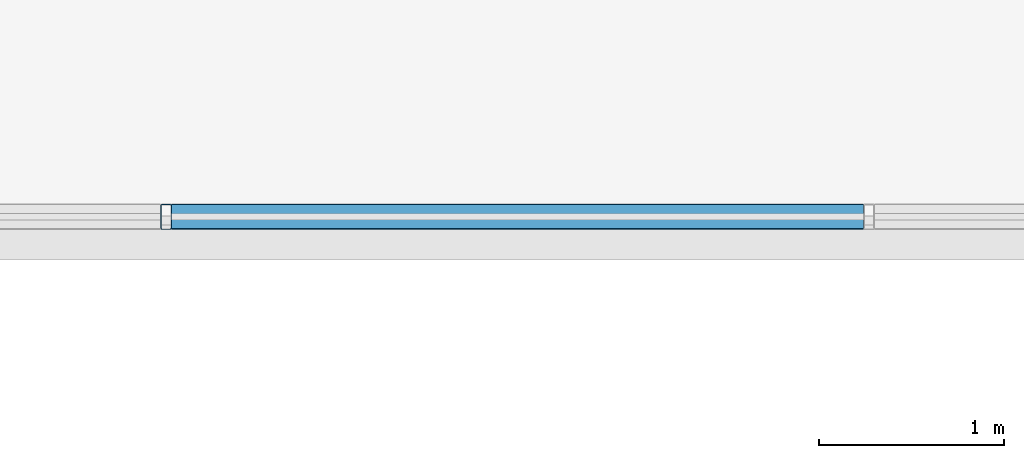
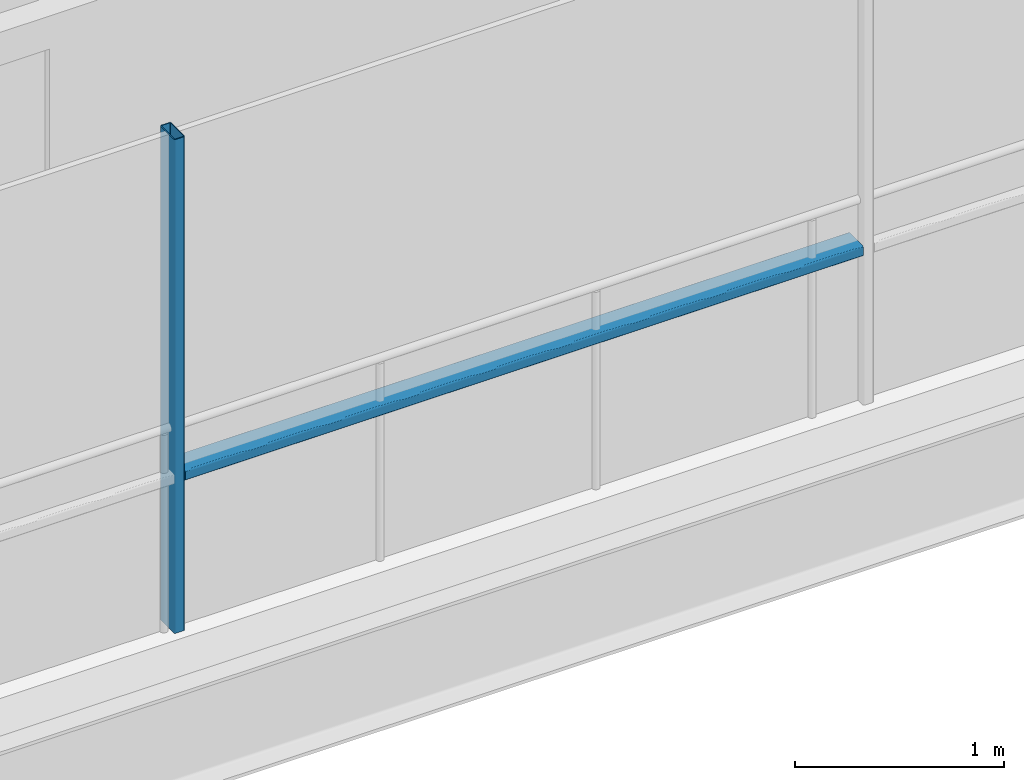
# One storey, part 11 of 41: 2 members, 1 element without a shape of its own.
"""IFC4 building model written with IfcOpenShell, lengths in metres."""

from ifc_helpers import new_model, si_unit, direction, frame, origin, origin_2d, place, context, subcontext, project, spatial, hollow_rectangle, extrude, material, layer, layer_set, material_profile, profile_set, type_object, element, aggregate, save


model = new_model("IFC4")

# Units and contexts
model_context = context("Model", 3, precision=1e-05, world=origin(), true_north=direction((0.0, 1.0)))
body_context = subcontext(model_context, "Body", "Model", "MODEL_VIEW")
ifc_project = project(units=[si_unit("LENGTHUNIT", "METRE"), si_unit("AREAUNIT", "SQUARE_METRE"), si_unit("VOLUMEUNIT", "CUBIC_METRE"), si_unit("PLANEANGLEUNIT", "RADIAN"), si_unit("MASSUNIT", "GRAM", prefix="KILO")], contexts=[model_context])

# Site, building, storey
site_placement = place(None, origin())
site = spatial("IfcSite", under=ifc_project, at=site_placement, CompositionType="ELEMENT")
building_placement = place(site_placement, origin())
building = spatial("IfcBuilding", under=site, at=building_placement, Name="Brevholm Reach", CompositionType="ELEMENT")
storey_placement = place(building_placement, frame((0.0, 0.0, 112.800048828125)))
storey = spatial("IfcBuildingStorey", under=building, at=storey_placement, Name="L33", CompositionType="ELEMENT", Elevation=112.800048828125)

# Curtain wall, members
ifc_material_1 = material(Name="Dark Anodised Aluminium 6063-T6 and Solar-Control Glass", Category="aluminium")
ifc_layer = layer(ifc_material_1, 0.139892578125)
ifc_layer_set = layer_set([ifc_layer], Name="Dark Anodised Aluminium 6063-T6 and Solar-Control Glass")
curtain_wall_type = type_object("IfcCurtainWallType", Name="CW-02", PredefinedType="NOTDEFINED", material=ifc_layer_set)
curtain_wall_placement = place(storey_placement, origin())
curtain_wall = element("IfcCurtainWall", 1, at=curtain_wall_placement, inside=storey, type_object=curtain_wall_type, Name="L33 Curtain Wall CW-02", PredefinedType="NOTDEFINED")
ifc_material_2 = material(Name="Dark Anodised Aluminium 6063-T6", Category="aluminium")
ifc_material_profile_1 = material_profile(ifc_material_2, hollow_rectangle(XDim=0.06005859375, YDim=0.139892578125, WallThickness=0.0048828125, InnerFilletRadius=0.0048828125, OuterFilletRadius=0.010009765625, at=origin_2d()), Name="RHS 140x60x5")
ifc_profile_set_1 = profile_set([ifc_material_profile_1], Name="Dark Anodised Aluminium 6063-T6")
member_type_1 = type_object("IfcMemberType", Name="CWM-140", PredefinedType="MULLION", material=ifc_profile_set_1)
member_1_placement = place(storey_placement, frame((30.050048828125, 26.6201171875, 0.0), z_axis=(0.0, 0.0, 1.0), x_axis=(-1.0, 0.0, 0.0)))
member_1 = element("IfcMember", 2, at=member_1_placement, type_object=member_type_1, Name="CM-140 Mullion 3", PredefinedType="MULLION", context=body_context, shape_type="SweptSolid", body=[
    extrude(hollow_rectangle(XDim=0.06005859375, YDim=0.139892578125, WallThickness=0.0048828125, InnerFilletRadius=0.0048828125, OuterFilletRadius=0.010009765625, at=origin_2d()), origin(), (0.0, 0.0, 1.0), 2.8798828125),
])
ifc_material_3 = material(Name="Dark Anodised Aluminium 6063-T6", Category="aluminium")
ifc_material_profile_2 = material_profile(ifc_material_3, hollow_rectangle(XDim=0.06005859375, YDim=0.139892578125, WallThickness=0.0048828125, InnerFilletRadius=0.0048828125, OuterFilletRadius=0.010009765625, at=origin_2d()), Name="RHS 140x60x5")
ifc_profile_set_2 = profile_set([ifc_material_profile_2], Name="Dark Anodised Aluminium 6063-T6")
member_type_2 = type_object("IfcMemberType", Name="CWT-140", PredefinedType="NOTDEFINED", material=ifc_profile_set_2)
member_2_placement = place(storey_placement, frame((33.820068359375, 26.6201171875, 0.89990234375), z_axis=(-1.0, 0.0, 0.0), x_axis=(0.0, 0.0, 1.0)))
member_2 = element("IfcMember", 3, at=member_2_placement, type_object=member_type_2, Name="CT-140 Transom 2.1", ObjectType="TRANSOM", PredefinedType="USERDEFINED", context=body_context, shape_type="SweptSolid", body=[
    extrude(hollow_rectangle(XDim=0.06005859375, YDim=0.139892578125, WallThickness=0.0048828125, InnerFilletRadius=0.0048828125, OuterFilletRadius=0.010009765625, at=origin_2d()), origin(), (0.0, 0.0, 1.0), 3.739990234375),
])
aggregate(curtain_wall, [member_1, member_2])

save(model, "model.ifc")
